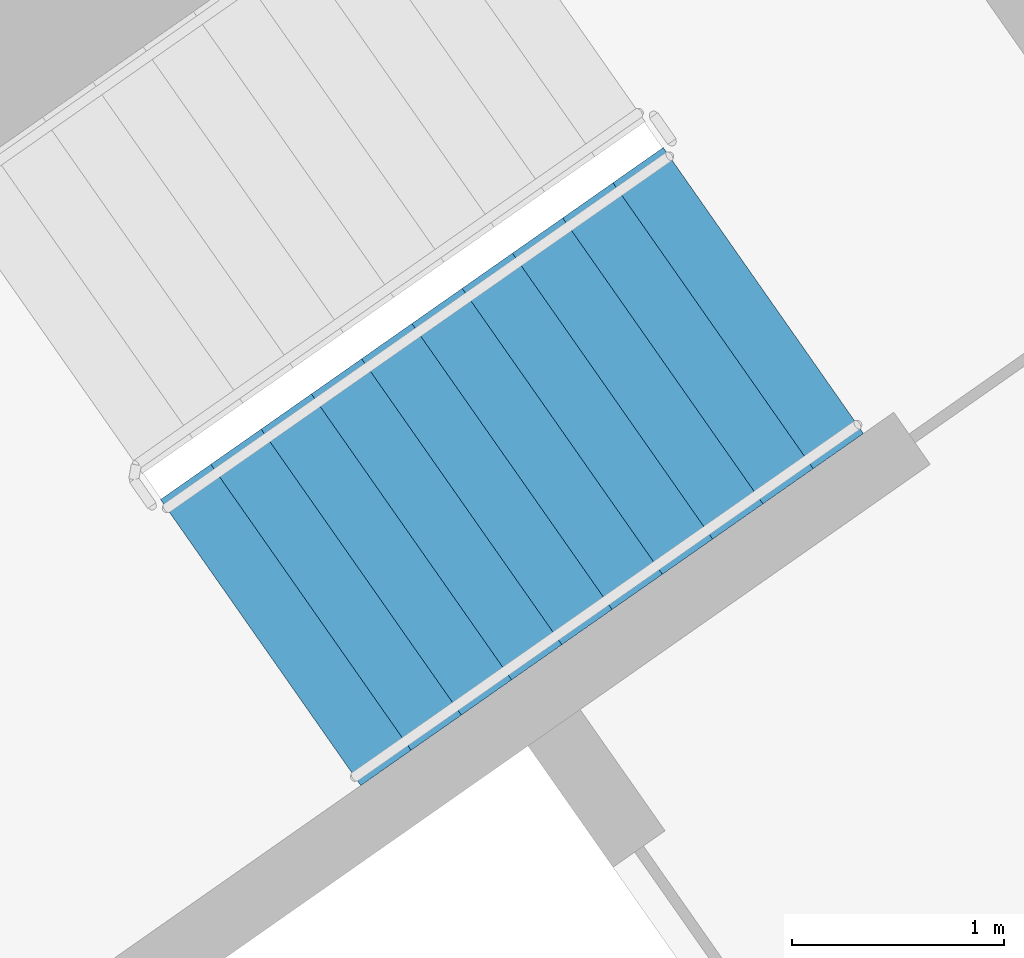
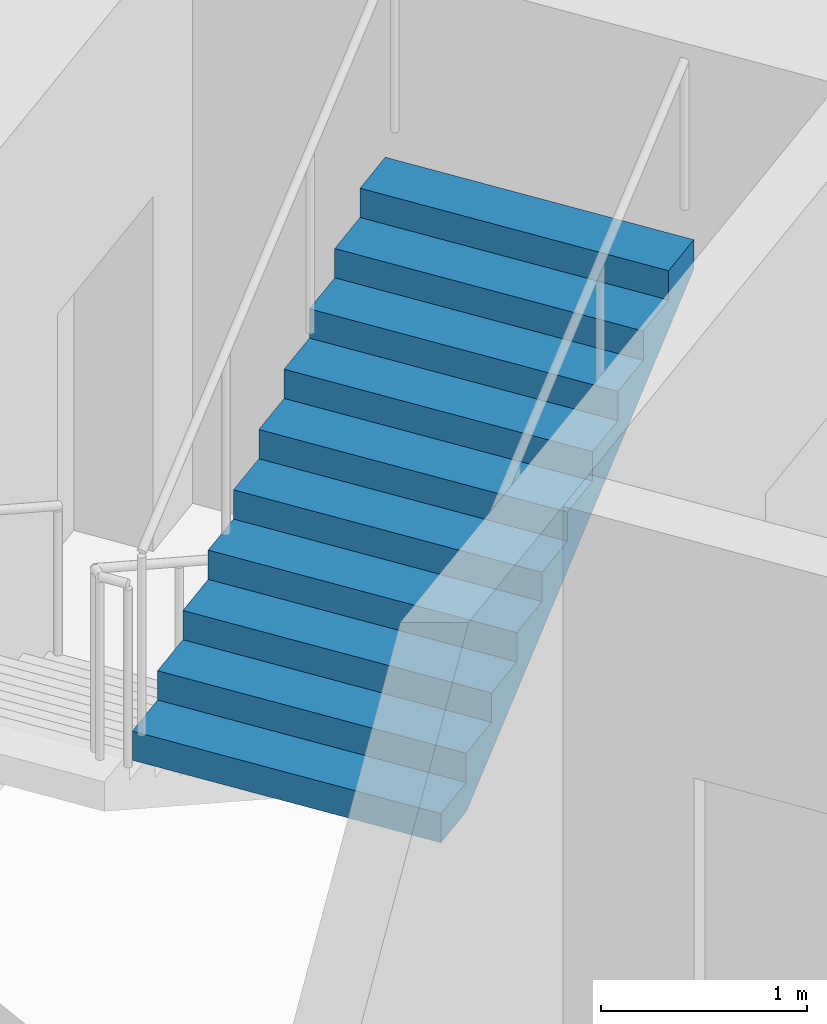
# One storey, part 14 of 30: 1 stair flight, 1 element without a shape of its own.
"""IFC4 building model written with IfcOpenShell, lengths in metres."""

from ifc_helpers import new_model, si_unit, direction, frame, origin, place, context, subcontext, project, spatial, faceted_brep, material, type_object, element, aggregate, save


model = new_model("IFC4")

# Units and contexts
model_context = context("Model", 3, precision=1e-05, world=origin(), true_north=direction((0.0, 1.0)))
body_context = subcontext(model_context, "Body", "Model", "MODEL_VIEW")
ifc_project = project(units=[si_unit("LENGTHUNIT", "METRE"), si_unit("AREAUNIT", "SQUARE_METRE"), si_unit("VOLUMEUNIT", "CUBIC_METRE"), si_unit("PLANEANGLEUNIT", "RADIAN"), si_unit("MASSUNIT", "GRAM", prefix="KILO")], contexts=[model_context])

# Site, building, storey
site_placement = place(None, origin())
site = spatial("IfcSite", under=ifc_project, at=site_placement, CompositionType="ELEMENT")
building_placement = place(site_placement, origin())
building = spatial("IfcBuilding", under=site, at=building_placement, Name="Qamariyya Broadcast Tower", CompositionType="ELEMENT")
storey_placement = place(building_placement, frame((0.0, 0.0, 102.5)))
storey = spatial("IfcBuildingStorey", under=building, at=storey_placement, Name="L22", CompositionType="ELEMENT", Elevation=102.5)

# Stair, stair flight
ifc_material = material(Name="Concrete C50/60", Category="concrete")
stair_type = type_object("IfcStairType", Name="Exit stair 22 risers of 173 mm", PredefinedType="HALF_TURN_STAIR", material=ifc_material)
stair_placement = place(storey_placement, origin())
stair = element("IfcStair", 1, at=stair_placement, inside=storey, type_object=stair_type, Name="L22 Stair E2", PredefinedType="HALF_TURN_STAIR")
stair_flight_type = type_object("IfcStairFlightType", Name="Exit stair flight 11 risers of 173 mm", PredefinedType="STRAIGHT", material=ifc_material)
stair_flight_placement = place(storey_placement, frame((39.215576171875, -50.822998046875, 1.89990234375), z_axis=(0.0, 0.0, 1.0), x_axis=(0.819152044289, 0.573576436351, 0.0)))
stair_flight = element("IfcStairFlight", 2, at=stair_flight_placement, type_object=stair_flight_type, Name="ST-E2 flight 2", NumberOfRisers=11, NumberOfTreads=10, PredefinedType="STRAIGHT", RiserHeight=0.172727273, TreadLength=0.29, context=body_context, shape_type="Brep", body=[
    faceted_brep([(0.0, 0.824951171875, 0.0), (0.0, 0.824951171875, 0.172607421875), (0.2900390625, 0.824951171875, 0.172607421875), (0.2900390625, 0.824951171875, 0.345458984375), (0.580078125, 0.824951171875, 0.345458984375), (0.580078125, 0.824951171875, 0.51806640625), (0.8701171875, 0.824951171875, 0.51806640625), (0.8701171875, 0.824951171875, 0.69091796875), (1.159912109375, 0.824951171875, 0.69091796875), (1.159912109375, 0.824951171875, 0.863525390625), (1.449951171875, 0.824951171875, 0.863525390625), (1.449951171875, 0.824951171875, 1.036376953125), (1.739990234375, 0.824951171875, 1.036376953125), (1.739990234375, 0.824951171875, 1.208984375), (2.030029296875, 0.824951171875, 1.208984375), (2.030029296875, 0.824951171875, 1.3818359375), (2.320068359375, 0.824951171875, 1.3818359375), (2.320068359375, 0.824951171875, 1.554443359375), (2.610107421875, 0.824951171875, 1.554443359375), (2.610107421875, 0.824951171875, 1.727294921875), (2.89990234375, 0.824951171875, 1.727294921875), (2.89990234375, 0.824951171875, 1.552734375), (0.29296875, 0.824951171875, 0.0), (0.29296875, -0.824951171875, 0.0), (2.89990234375, -0.824951171875, 1.552734375), (2.89990234375, -0.824951171875, 1.727294921875), (2.610107421875, -0.824951171875, 1.727294921875), (2.610107421875, -0.824951171875, 1.554443359375), (2.320068359375, -0.824951171875, 1.554443359375), (2.320068359375, -0.824951171875, 1.3818359375), (2.030029296875, -0.824951171875, 1.3818359375), (2.030029296875, -0.824951171875, 1.208984375), (1.739990234375, -0.824951171875, 1.208984375), (1.739990234375, -0.824951171875, 1.036376953125), (1.449951171875, -0.824951171875, 1.036376953125), (1.449951171875, -0.824951171875, 0.863525390625), (1.159912109375, -0.824951171875, 0.863525390625), (1.159912109375, -0.824951171875, 0.69091796875), (0.8701171875, -0.824951171875, 0.69091796875), (0.8701171875, -0.824951171875, 0.51806640625), (0.580078125, -0.824951171875, 0.51806640625), (0.580078125, -0.824951171875, 0.345458984375), (0.2900390625, -0.824951171875, 0.345458984375), (0.2900390625, -0.824951171875, 0.172607421875), (0.0, -0.824951171875, 0.172607421875), (0.0, -0.824951171875, 0.0), (0.0, 0.10009765625, 0.0), (0.0, 0.086669921875, 0.0), (0.0, 0.0732421875, 0.0), (0.0, 0.06005859375, 0.0), (0.0, 0.046630859375, 0.0), (0.0, 0.033447265625, 0.0), (0.0, 0.02001953125, 0.0), (0.0, 0.006591796875, 0.0), (0.0, -0.006591796875, 0.0), (0.0, -0.02001953125, 0.0), (0.0, -0.033447265625, 0.0), (0.0, -0.046630859375, 0.0), (0.0, -0.06005859375, 0.0), (0.0, -0.0732421875, 0.0), (0.0, -0.086669921875, 0.0), (0.0, -0.10009765625, 0.0), (0.0, -0.10009765625, 0.172607421875), (0.0, -0.086669921875, 0.172607421875), (0.0, -0.0732421875, 0.172607421875), (0.0, -0.06005859375, 0.172607421875), (0.0, -0.046630859375, 0.172607421875), (0.0, -0.033447265625, 0.172607421875), (0.0, -0.02001953125, 0.172607421875), (0.0, -0.006591796875, 0.172607421875), (0.0, 0.006591796875, 0.172607421875), (0.0, 0.02001953125, 0.172607421875), (0.0, 0.033447265625, 0.172607421875), (0.0, 0.046630859375, 0.172607421875), (0.0, 0.06005859375, 0.172607421875), (0.0, 0.0732421875, 0.172607421875), (0.0, 0.086669921875, 0.172607421875), (0.0, 0.10009765625, 0.172607421875), (0.2900390625, -0.10009765625, 0.172607421875), (0.2900390625, -0.086669921875, 0.172607421875), (0.2900390625, -0.0732421875, 0.172607421875), (0.2900390625, -0.06005859375, 0.172607421875), (0.2900390625, -0.046630859375, 0.172607421875), (0.2900390625, -0.033447265625, 0.172607421875), (0.2900390625, -0.02001953125, 0.172607421875), (0.2900390625, -0.006591796875, 0.172607421875), (0.2900390625, 0.006591796875, 0.172607421875), (0.2900390625, 0.02001953125, 0.172607421875), (0.2900390625, 0.033447265625, 0.172607421875), (0.2900390625, 0.046630859375, 0.172607421875), (0.2900390625, 0.06005859375, 0.172607421875), (0.2900390625, 0.0732421875, 0.172607421875), (0.2900390625, 0.086669921875, 0.172607421875), (0.2900390625, 0.10009765625, 0.172607421875), (0.2900390625, -0.10009765625, 0.345458984375), (0.2900390625, -0.086669921875, 0.345458984375), (0.2900390625, -0.0732421875, 0.345458984375), (0.2900390625, -0.06005859375, 0.345458984375), (0.2900390625, -0.046630859375, 0.345458984375), (0.2900390625, -0.033447265625, 0.345458984375), (0.2900390625, -0.02001953125, 0.345458984375), (0.2900390625, -0.006591796875, 0.345458984375), (0.2900390625, 0.006591796875, 0.345458984375), (0.2900390625, 0.02001953125, 0.345458984375), (0.2900390625, 0.033447265625, 0.345458984375), (0.2900390625, 0.046630859375, 0.345458984375), (0.2900390625, 0.06005859375, 0.345458984375), (0.2900390625, 0.0732421875, 0.345458984375), (0.2900390625, 0.086669921875, 0.345458984375), (0.2900390625, 0.10009765625, 0.345458984375), (0.580078125, -0.10009765625, 0.345458984375), (0.580078125, -0.086669921875, 0.345458984375), (0.580078125, -0.0732421875, 0.345458984375), (0.580078125, -0.06005859375, 0.345458984375), (0.580078125, -0.046630859375, 0.345458984375), (0.580078125, -0.033447265625, 0.345458984375), (0.580078125, -0.02001953125, 0.345458984375), (0.580078125, -0.006591796875, 0.345458984375), (0.580078125, 0.006591796875, 0.345458984375), (0.580078125, 0.02001953125, 0.345458984375), (0.580078125, 0.033447265625, 0.345458984375), (0.580078125, 0.046630859375, 0.345458984375), (0.580078125, 0.06005859375, 0.345458984375), (0.580078125, 0.0732421875, 0.345458984375), (0.580078125, 0.086669921875, 0.345458984375), (0.580078125, 0.10009765625, 0.345458984375), (0.580078125, -0.10009765625, 0.51806640625), (0.580078125, -0.086669921875, 0.51806640625), (0.580078125, -0.0732421875, 0.51806640625), (0.580078125, -0.06005859375, 0.51806640625), (0.580078125, -0.046630859375, 0.51806640625), (0.580078125, -0.033447265625, 0.51806640625), (0.580078125, -0.02001953125, 0.51806640625), (0.580078125, -0.006591796875, 0.51806640625), (0.580078125, 0.006591796875, 0.51806640625), (0.580078125, 0.02001953125, 0.51806640625), (0.580078125, 0.033447265625, 0.51806640625), (0.580078125, 0.046630859375, 0.51806640625), (0.580078125, 0.06005859375, 0.51806640625), (0.580078125, 0.0732421875, 0.51806640625), (0.580078125, 0.086669921875, 0.51806640625), (0.580078125, 0.10009765625, 0.51806640625), (0.8701171875, -0.10009765625, 0.51806640625), (0.8701171875, -0.086669921875, 0.51806640625), (0.8701171875, -0.0732421875, 0.51806640625), (0.8701171875, -0.06005859375, 0.51806640625), (0.8701171875, -0.046630859375, 0.51806640625), (0.8701171875, -0.033447265625, 0.51806640625), (0.8701171875, -0.02001953125, 0.51806640625), (0.8701171875, -0.006591796875, 0.51806640625), (0.8701171875, 0.006591796875, 0.51806640625), (0.8701171875, 0.02001953125, 0.51806640625), (0.8701171875, 0.033447265625, 0.51806640625), (0.8701171875, 0.046630859375, 0.51806640625), (0.8701171875, 0.06005859375, 0.51806640625), (0.8701171875, 0.0732421875, 0.51806640625), (0.8701171875, 0.086669921875, 0.51806640625), (0.8701171875, 0.10009765625, 0.51806640625), (0.8701171875, -0.10009765625, 0.69091796875), (0.8701171875, -0.086669921875, 0.69091796875), (0.8701171875, -0.0732421875, 0.69091796875), (0.8701171875, -0.06005859375, 0.69091796875), (0.8701171875, -0.046630859375, 0.69091796875), (0.8701171875, -0.033447265625, 0.69091796875), (0.8701171875, -0.02001953125, 0.69091796875), (0.8701171875, -0.006591796875, 0.69091796875), (0.8701171875, 0.006591796875, 0.69091796875), (0.8701171875, 0.02001953125, 0.69091796875), (0.8701171875, 0.033447265625, 0.69091796875), (0.8701171875, 0.046630859375, 0.69091796875), (0.8701171875, 0.06005859375, 0.69091796875), (0.8701171875, 0.0732421875, 0.69091796875), (0.8701171875, 0.086669921875, 0.69091796875), (0.8701171875, 0.10009765625, 0.69091796875), (1.159912109375, -0.10009765625, 0.69091796875), (1.159912109375, -0.086669921875, 0.69091796875), (1.159912109375, -0.0732421875, 0.69091796875), (1.159912109375, -0.06005859375, 0.69091796875), (1.159912109375, -0.046630859375, 0.69091796875), (1.159912109375, -0.033447265625, 0.69091796875), (1.159912109375, -0.02001953125, 0.69091796875), (1.159912109375, -0.006591796875, 0.69091796875), (1.159912109375, 0.006591796875, 0.69091796875), (1.159912109375, 0.02001953125, 0.69091796875), (1.159912109375, 0.033447265625, 0.69091796875), (1.159912109375, 0.046630859375, 0.69091796875), (1.159912109375, 0.06005859375, 0.69091796875), (1.159912109375, 0.0732421875, 0.69091796875), (1.159912109375, 0.086669921875, 0.69091796875), (1.159912109375, 0.10009765625, 0.69091796875), (1.159912109375, -0.10009765625, 0.863525390625), (1.159912109375, -0.086669921875, 0.863525390625), (1.159912109375, -0.0732421875, 0.863525390625), (1.159912109375, -0.06005859375, 0.863525390625), (1.159912109375, -0.046630859375, 0.863525390625), (1.159912109375, -0.033447265625, 0.863525390625), (1.159912109375, -0.02001953125, 0.863525390625), (1.159912109375, -0.006591796875, 0.863525390625), (1.159912109375, 0.006591796875, 0.863525390625), (1.159912109375, 0.02001953125, 0.863525390625), (1.159912109375, 0.033447265625, 0.863525390625), (1.159912109375, 0.046630859375, 0.863525390625), (1.159912109375, 0.06005859375, 0.863525390625), (1.159912109375, 0.0732421875, 0.863525390625), (1.159912109375, 0.086669921875, 0.863525390625), (1.159912109375, 0.10009765625, 0.863525390625), (1.449951171875, -0.10009765625, 0.863525390625), (1.449951171875, -0.086669921875, 0.863525390625), (1.449951171875, -0.0732421875, 0.863525390625), (1.449951171875, -0.06005859375, 0.863525390625), (1.449951171875, -0.046630859375, 0.863525390625), (1.449951171875, -0.033447265625, 0.863525390625), (1.449951171875, -0.02001953125, 0.863525390625), (1.449951171875, -0.006591796875, 0.863525390625), (1.449951171875, 0.006591796875, 0.863525390625), (1.449951171875, 0.02001953125, 0.863525390625), (1.449951171875, 0.033447265625, 0.863525390625), (1.449951171875, 0.046630859375, 0.863525390625), (1.449951171875, 0.06005859375, 0.863525390625), (1.449951171875, 0.0732421875, 0.863525390625), (1.449951171875, 0.086669921875, 0.863525390625), (1.449951171875, 0.10009765625, 0.863525390625), (1.449951171875, -0.10009765625, 1.036376953125), (1.449951171875, -0.086669921875, 1.036376953125), (1.449951171875, -0.0732421875, 1.036376953125), (1.449951171875, -0.06005859375, 1.036376953125), (1.449951171875, -0.046630859375, 1.036376953125), (1.449951171875, -0.033447265625, 1.036376953125), (1.449951171875, -0.02001953125, 1.036376953125), (1.449951171875, -0.006591796875, 1.036376953125), (1.449951171875, 0.006591796875, 1.036376953125), (1.449951171875, 0.02001953125, 1.036376953125), (1.449951171875, 0.033447265625, 1.036376953125), (1.449951171875, 0.046630859375, 1.036376953125), (1.449951171875, 0.06005859375, 1.036376953125), (1.449951171875, 0.0732421875, 1.036376953125), (1.449951171875, 0.086669921875, 1.036376953125), (1.449951171875, 0.10009765625, 1.036376953125), (1.739990234375, -0.10009765625, 1.036376953125), (1.739990234375, -0.086669921875, 1.036376953125), (1.739990234375, -0.0732421875, 1.036376953125), (1.739990234375, -0.06005859375, 1.036376953125), (1.739990234375, -0.046630859375, 1.036376953125), (1.739990234375, -0.033447265625, 1.036376953125), (1.739990234375, -0.02001953125, 1.036376953125), (1.739990234375, -0.006591796875, 1.036376953125), (1.739990234375, 0.006591796875, 1.036376953125), (1.739990234375, 0.02001953125, 1.036376953125), (1.739990234375, 0.033447265625, 1.036376953125), (1.739990234375, 0.046630859375, 1.036376953125), (1.739990234375, 0.06005859375, 1.036376953125), (1.739990234375, 0.0732421875, 1.036376953125), (1.739990234375, 0.086669921875, 1.036376953125), (1.739990234375, 0.10009765625, 1.036376953125), (1.739990234375, -0.10009765625, 1.208984375), (1.739990234375, -0.086669921875, 1.208984375), (1.739990234375, -0.0732421875, 1.208984375), (1.739990234375, -0.06005859375, 1.208984375), (1.739990234375, -0.046630859375, 1.208984375), (1.739990234375, -0.033447265625, 1.208984375), (1.739990234375, -0.02001953125, 1.208984375), (1.739990234375, -0.006591796875, 1.208984375), (1.739990234375, 0.006591796875, 1.208984375), (1.739990234375, 0.02001953125, 1.208984375), (1.739990234375, 0.033447265625, 1.208984375), (1.739990234375, 0.046630859375, 1.208984375), (1.739990234375, 0.06005859375, 1.208984375), (1.739990234375, 0.0732421875, 1.208984375), (1.739990234375, 0.086669921875, 1.208984375), (1.739990234375, 0.10009765625, 1.208984375), (2.030029296875, -0.10009765625, 1.208984375), (2.030029296875, -0.086669921875, 1.208984375), (2.030029296875, -0.0732421875, 1.208984375), (2.030029296875, -0.06005859375, 1.208984375), (2.030029296875, -0.046630859375, 1.208984375), (2.030029296875, -0.033447265625, 1.208984375), (2.030029296875, -0.02001953125, 1.208984375), (2.030029296875, -0.006591796875, 1.208984375), (2.030029296875, 0.006591796875, 1.208984375), (2.030029296875, 0.02001953125, 1.208984375), (2.030029296875, 0.033447265625, 1.208984375), (2.030029296875, 0.046630859375, 1.208984375), (2.030029296875, 0.06005859375, 1.208984375), (2.030029296875, 0.0732421875, 1.208984375), (2.030029296875, 0.086669921875, 1.208984375), (2.030029296875, 0.10009765625, 1.208984375), (2.030029296875, -0.10009765625, 1.3818359375), (2.030029296875, -0.086669921875, 1.3818359375), (2.030029296875, -0.0732421875, 1.3818359375), (2.030029296875, -0.06005859375, 1.3818359375), (2.030029296875, -0.046630859375, 1.3818359375), (2.030029296875, -0.033447265625, 1.3818359375), (2.030029296875, -0.02001953125, 1.3818359375), (2.030029296875, -0.006591796875, 1.3818359375), (2.030029296875, 0.006591796875, 1.3818359375), (2.030029296875, 0.02001953125, 1.3818359375), (2.030029296875, 0.033447265625, 1.3818359375), (2.030029296875, 0.046630859375, 1.3818359375), (2.030029296875, 0.06005859375, 1.3818359375), (2.030029296875, 0.0732421875, 1.3818359375), (2.030029296875, 0.086669921875, 1.3818359375), (2.030029296875, 0.10009765625, 1.3818359375), (2.320068359375, -0.10009765625, 1.3818359375), (2.320068359375, -0.086669921875, 1.3818359375), (2.320068359375, -0.0732421875, 1.3818359375), (2.320068359375, -0.06005859375, 1.3818359375), (2.320068359375, -0.046630859375, 1.3818359375), (2.320068359375, -0.033447265625, 1.3818359375), (2.320068359375, -0.02001953125, 1.3818359375), (2.320068359375, -0.006591796875, 1.3818359375), (2.320068359375, 0.006591796875, 1.3818359375), (2.320068359375, 0.02001953125, 1.3818359375), (2.320068359375, 0.033447265625, 1.3818359375), (2.320068359375, 0.046630859375, 1.3818359375), (2.320068359375, 0.06005859375, 1.3818359375), (2.320068359375, 0.0732421875, 1.3818359375), (2.320068359375, 0.086669921875, 1.3818359375), (2.320068359375, 0.10009765625, 1.3818359375), (2.320068359375, -0.10009765625, 1.554443359375), (2.320068359375, -0.086669921875, 1.554443359375), (2.320068359375, -0.0732421875, 1.554443359375), (2.320068359375, -0.06005859375, 1.554443359375), (2.320068359375, -0.046630859375, 1.554443359375), (2.320068359375, -0.033447265625, 1.554443359375), (2.320068359375, -0.02001953125, 1.554443359375), (2.320068359375, -0.006591796875, 1.554443359375), (2.320068359375, 0.006591796875, 1.554443359375), (2.320068359375, 0.02001953125, 1.554443359375), (2.320068359375, 0.033447265625, 1.554443359375), (2.320068359375, 0.046630859375, 1.554443359375), (2.320068359375, 0.06005859375, 1.554443359375), (2.320068359375, 0.0732421875, 1.554443359375), (2.320068359375, 0.086669921875, 1.554443359375), (2.320068359375, 0.10009765625, 1.554443359375), (2.610107421875, -0.10009765625, 1.554443359375), (2.610107421875, -0.086669921875, 1.554443359375), (2.610107421875, -0.0732421875, 1.554443359375), (2.610107421875, -0.06005859375, 1.554443359375), (2.610107421875, -0.046630859375, 1.554443359375), (2.610107421875, -0.033447265625, 1.554443359375), (2.610107421875, -0.02001953125, 1.554443359375), (2.610107421875, -0.006591796875, 1.554443359375), (2.610107421875, 0.006591796875, 1.554443359375), (2.610107421875, 0.02001953125, 1.554443359375), (2.610107421875, 0.033447265625, 1.554443359375), (2.610107421875, 0.046630859375, 1.554443359375), (2.610107421875, 0.06005859375, 1.554443359375), (2.610107421875, 0.0732421875, 1.554443359375), (2.610107421875, 0.086669921875, 1.554443359375), (2.610107421875, 0.10009765625, 1.554443359375), (2.610107421875, -0.10009765625, 1.727294921875), (2.610107421875, -0.086669921875, 1.727294921875), (2.610107421875, -0.0732421875, 1.727294921875), (2.610107421875, -0.06005859375, 1.727294921875), (2.610107421875, -0.046630859375, 1.727294921875), (2.610107421875, -0.033447265625, 1.727294921875), (2.610107421875, -0.02001953125, 1.727294921875), (2.610107421875, -0.006591796875, 1.727294921875), (2.610107421875, 0.006591796875, 1.727294921875), (2.610107421875, 0.02001953125, 1.727294921875), (2.610107421875, 0.033447265625, 1.727294921875), (2.610107421875, 0.046630859375, 1.727294921875), (2.610107421875, 0.06005859375, 1.727294921875), (2.610107421875, 0.0732421875, 1.727294921875), (2.610107421875, 0.086669921875, 1.727294921875), (2.610107421875, 0.10009765625, 1.727294921875), (2.89990234375, -0.10009765625, 1.727294921875), (2.89990234375, -0.086669921875, 1.727294921875), (2.89990234375, -0.0732421875, 1.727294921875), (2.89990234375, -0.06005859375, 1.727294921875), (2.89990234375, -0.046630859375, 1.727294921875), (2.89990234375, -0.033447265625, 1.727294921875), (2.89990234375, -0.02001953125, 1.727294921875), (2.89990234375, -0.006591796875, 1.727294921875), (2.89990234375, 0.006591796875, 1.727294921875), (2.89990234375, 0.02001953125, 1.727294921875), (2.89990234375, 0.033447265625, 1.727294921875), (2.89990234375, 0.046630859375, 1.727294921875), (2.89990234375, 0.06005859375, 1.727294921875), (2.89990234375, 0.0732421875, 1.727294921875), (2.89990234375, 0.086669921875, 1.727294921875), (2.89990234375, 0.10009765625, 1.727294921875), (2.89990234375, -0.10009765625, 1.552734375), (2.89990234375, -0.086669921875, 1.552734375), (2.89990234375, -0.0732421875, 1.552734375), (2.89990234375, -0.06005859375, 1.552734375), (2.89990234375, -0.046630859375, 1.552734375), (2.89990234375, -0.033447265625, 1.552734375), (2.89990234375, -0.02001953125, 1.552734375), (2.89990234375, -0.006591796875, 1.552734375), (2.89990234375, 0.006591796875, 1.552734375), (2.89990234375, 0.02001953125, 1.552734375), (2.89990234375, 0.033447265625, 1.552734375), (2.89990234375, 0.046630859375, 1.552734375), (2.89990234375, 0.06005859375, 1.552734375), (2.89990234375, 0.0732421875, 1.552734375), (2.89990234375, 0.086669921875, 1.552734375), (2.89990234375, 0.10009765625, 1.552734375), (0.29296875, -0.10009765625, 0.0), (0.29296875, -0.086669921875, 0.0), (0.29296875, -0.0732421875, 0.0), (0.29296875, -0.06005859375, 0.0), (0.29296875, -0.046630859375, 0.0), (0.29296875, -0.033447265625, 0.0), (0.29296875, -0.02001953125, 0.0), (0.29296875, -0.006591796875, 0.0), (0.29296875, 0.006591796875, 0.0), (0.29296875, 0.02001953125, 0.0), (0.29296875, 0.033447265625, 0.0), (0.29296875, 0.046630859375, 0.0), (0.29296875, 0.06005859375, 0.0), (0.29296875, 0.0732421875, 0.0), (0.29296875, 0.086669921875, 0.0), (0.29296875, 0.10009765625, 0.0)], [[[0, 1, 2, 3, 4, 5, 6, 7, 8, 9, 10, 11, 12, 13, 14, 15, 16, 17, 18, 19, 20, 21, 22]], [[23, 24, 25, 26, 27, 28, 29, 30, 31, 32, 33, 34, 35, 36, 37, 38, 39, 40, 41, 42, 43, 44, 45]], [[0, 46, 47, 48, 49, 50, 51, 52, 53, 54, 55, 56, 57, 58, 59, 60, 61, 45, 44, 62, 63, 64, 65, 66, 67, 68, 69, 70, 71, 72, 73, 74, 75, 76, 77, 1]], [[1, 77, 76, 75, 74, 73, 72, 71, 70, 69, 68, 67, 66, 65, 64, 63, 62, 44, 43, 78, 79, 80, 81, 82, 83, 84, 85, 86, 87, 88, 89, 90, 91, 92, 93, 2]], [[2, 93, 92, 91, 90, 89, 88, 87, 86, 85, 84, 83, 82, 81, 80, 79, 78, 43, 42, 94, 95, 96, 97, 98, 99, 100, 101, 102, 103, 104, 105, 106, 107, 108, 109, 3]], [[3, 109, 108, 107, 106, 105, 104, 103, 102, 101, 100, 99, 98, 97, 96, 95, 94, 42, 41, 110, 111, 112, 113, 114, 115, 116, 117, 118, 119, 120, 121, 122, 123, 124, 125, 4]], [[4, 125, 124, 123, 122, 121, 120, 119, 118, 117, 116, 115, 114, 113, 112, 111, 110, 41, 40, 126, 127, 128, 129, 130, 131, 132, 133, 134, 135, 136, 137, 138, 139, 140, 141, 5]], [[5, 141, 140, 139, 138, 137, 136, 135, 134, 133, 132, 131, 130, 129, 128, 127, 126, 40, 39, 142, 143, 144, 145, 146, 147, 148, 149, 150, 151, 152, 153, 154, 155, 156, 157, 6]], [[6, 157, 156, 155, 154, 153, 152, 151, 150, 149, 148, 147, 146, 145, 144, 143, 142, 39, 38, 158, 159, 160, 161, 162, 163, 164, 165, 166, 167, 168, 169, 170, 171, 172, 173, 7]], [[7, 173, 172, 171, 170, 169, 168, 167, 166, 165, 164, 163, 162, 161, 160, 159, 158, 38, 37, 174, 175, 176, 177, 178, 179, 180, 181, 182, 183, 184, 185, 186, 187, 188, 189, 8]], [[8, 189, 188, 187, 186, 185, 184, 183, 182, 181, 180, 179, 178, 177, 176, 175, 174, 37, 36, 190, 191, 192, 193, 194, 195, 196, 197, 198, 199, 200, 201, 202, 203, 204, 205, 9]], [[9, 205, 204, 203, 202, 201, 200, 199, 198, 197, 196, 195, 194, 193, 192, 191, 190, 36, 35, 206, 207, 208, 209, 210, 211, 212, 213, 214, 215, 216, 217, 218, 219, 220, 221, 10]], [[10, 221, 220, 219, 218, 217, 216, 215, 214, 213, 212, 211, 210, 209, 208, 207, 206, 35, 34, 222, 223, 224, 225, 226, 227, 228, 229, 230, 231, 232, 233, 234, 235, 236, 237, 11]], [[11, 237, 236, 235, 234, 233, 232, 231, 230, 229, 228, 227, 226, 225, 224, 223, 222, 34, 33, 238, 239, 240, 241, 242, 243, 244, 245, 246, 247, 248, 249, 250, 251, 252, 253, 12]], [[12, 253, 252, 251, 250, 249, 248, 247, 246, 245, 244, 243, 242, 241, 240, 239, 238, 33, 32, 254, 255, 256, 257, 258, 259, 260, 261, 262, 263, 264, 265, 266, 267, 268, 269, 13]], [[13, 269, 268, 267, 266, 265, 264, 263, 262, 261, 260, 259, 258, 257, 256, 255, 254, 32, 31, 270, 271, 272, 273, 274, 275, 276, 277, 278, 279, 280, 281, 282, 283, 284, 285, 14]], [[14, 285, 284, 283, 282, 281, 280, 279, 278, 277, 276, 275, 274, 273, 272, 271, 270, 31, 30, 286, 287, 288, 289, 290, 291, 292, 293, 294, 295, 296, 297, 298, 299, 300, 301, 15]], [[15, 301, 300, 299, 298, 297, 296, 295, 294, 293, 292, 291, 290, 289, 288, 287, 286, 30, 29, 302, 303, 304, 305, 306, 307, 308, 309, 310, 311, 312, 313, 314, 315, 316, 317, 16]], [[16, 317, 316, 315, 314, 313, 312, 311, 310, 309, 308, 307, 306, 305, 304, 303, 302, 29, 28, 318, 319, 320, 321, 322, 323, 324, 325, 326, 327, 328, 329, 330, 331, 332, 333, 17]], [[17, 333, 332, 331, 330, 329, 328, 327, 326, 325, 324, 323, 322, 321, 320, 319, 318, 28, 27, 334, 335, 336, 337, 338, 339, 340, 341, 342, 343, 344, 345, 346, 347, 348, 349, 18]], [[18, 349, 348, 347, 346, 345, 344, 343, 342, 341, 340, 339, 338, 337, 336, 335, 334, 27, 26, 350, 351, 352, 353, 354, 355, 356, 357, 358, 359, 360, 361, 362, 363, 364, 365, 19]], [[19, 365, 364, 363, 362, 361, 360, 359, 358, 357, 356, 355, 354, 353, 352, 351, 350, 26, 25, 366, 367, 368, 369, 370, 371, 372, 373, 374, 375, 376, 377, 378, 379, 380, 381, 20]], [[20, 381, 380, 379, 378, 377, 376, 375, 374, 373, 372, 371, 370, 369, 368, 367, 366, 25, 24, 382, 383, 384, 385, 386, 387, 388, 389, 390, 391, 392, 393, 394, 395, 396, 397, 21]], [[21, 397, 396, 395, 394, 393, 392, 391, 390, 389, 388, 387, 386, 385, 384, 383, 382, 24, 23, 398, 399, 400, 401, 402, 403, 404, 405, 406, 407, 408, 409, 410, 411, 412, 413, 22]], [[22, 413, 412, 411, 410, 409, 408, 407, 406, 405, 404, 403, 402, 401, 400, 399, 398, 23, 45, 61, 60, 59, 58, 57, 56, 55, 54, 53, 52, 51, 50, 49, 48, 47, 46, 0]]]),
])
aggregate(stair, [stair_flight])

save(model, "model.ifc")
